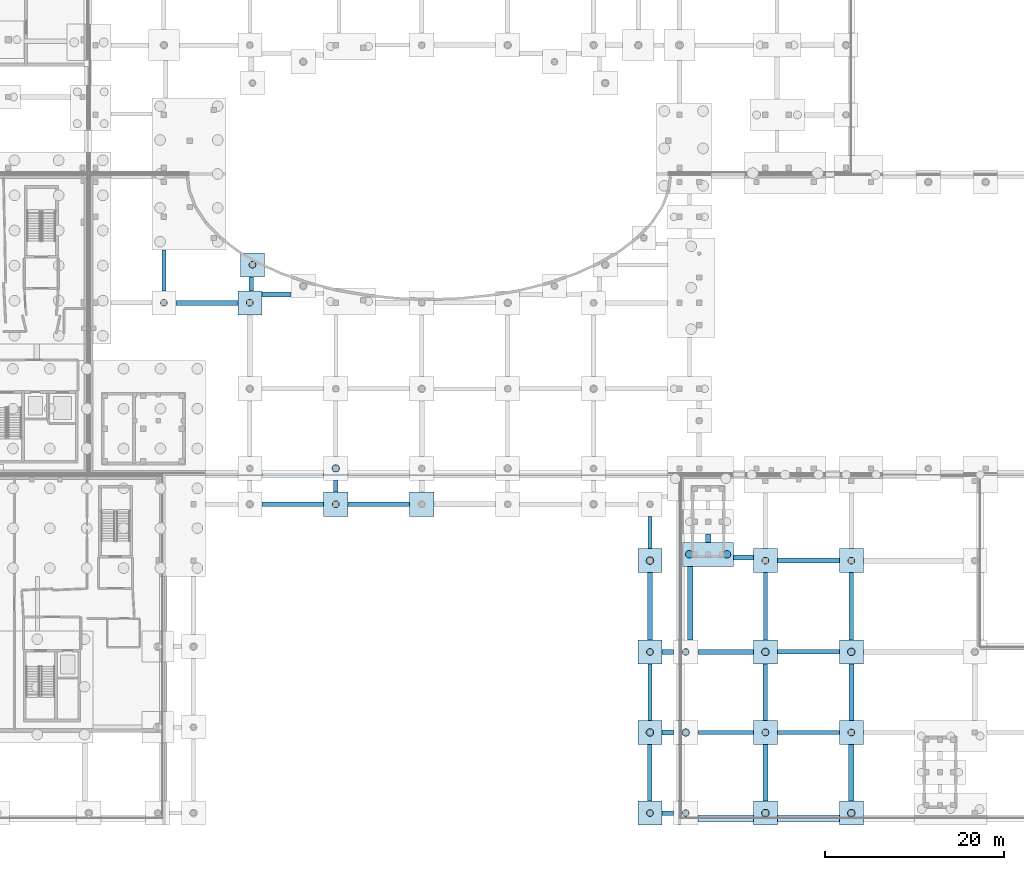
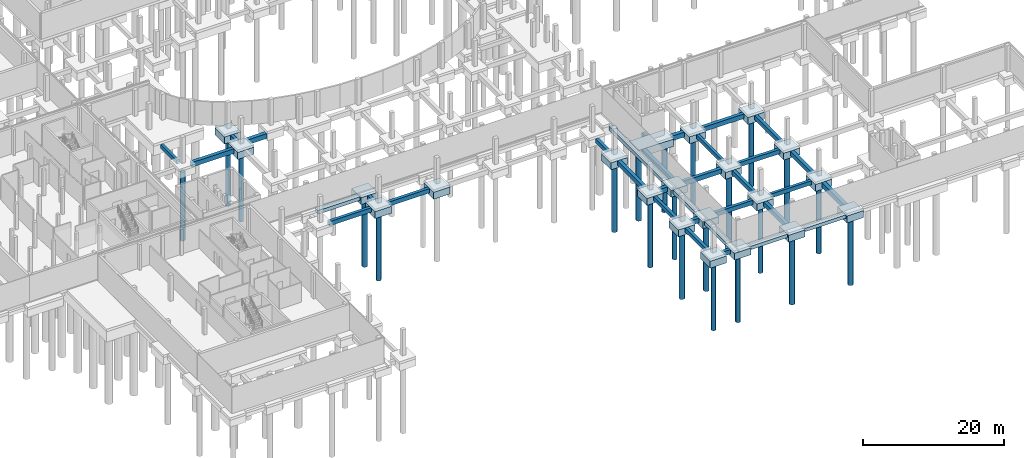
# One storey, part 3 of 40: 55 footings, 22 piles.
"""IFC4 building model written with IfcOpenShell, lengths in metres."""

from ifc_helpers import new_model, si_unit, direction, frame, origin, origin_2d, place, context, subcontext, project, spatial, polyline, circle, outline, extrude, material, material_profile, profile_set, type_object, element, save


model = new_model("IFC4")

# Units and contexts
model_context = context("Model", 3, precision=1e-05, world=origin(), true_north=direction((0.0, 1.0)))
body_context = subcontext(model_context, "Body", "Model", "MODEL_VIEW")
ifc_project = project(units=[si_unit("LENGTHUNIT", "METRE"), si_unit("AREAUNIT", "SQUARE_METRE"), si_unit("VOLUMEUNIT", "CUBIC_METRE"), si_unit("PLANEANGLEUNIT", "RADIAN"), si_unit("MASSUNIT", "GRAM", prefix="KILO")], contexts=[model_context])

# Site, building, storey
site_placement = place(None, origin())
site = spatial("IfcSite", under=ifc_project, at=site_placement, CompositionType="ELEMENT")
building_placement = place(site_placement, origin())
building = spatial("IfcBuilding", under=site, at=building_placement, Name="Mzevani Central Library", CompositionType="ELEMENT")
storey_placement = place(building_placement, frame((0.0, 0.0, -4.5)))
storey = spatial("IfcBuildingStorey", under=building, at=storey_placement, Name="B1", CompositionType="ELEMENT", Elevation=-4.5)

# Piles
ifc_material = material(Name="Concrete C40/50", Category="concrete")
ifc_material_profile_1 = material_profile(ifc_material, circle(Radius=0.375, at=origin_2d()), Name="PILE D750")
ifc_profile_set_1 = profile_set([ifc_material_profile_1], Name="Concrete C40/50")
pile_type_1 = type_object("IfcPileType", Name="Bored Pile D750", PredefinedType="BORED", material=ifc_profile_set_1)
for number, where, z_axis, x_axis, name in (
    (1, (54.39990234375, 61.60009765625, -1.52001953125), (0.0, 0.0, -1.0), (1.0, 0.0, 0.0), "B1 Bored Pile P-01 (25)"),
    (2, (64.0, 61.60009765625, -1.52001953125), (0.0, 0.0, -1.0), (1.0, 0.0, 0.0), "B1 Bored Pile P-01 (38)"),
    (3, (64.2939453125, 65.843994140625, -1.52001953125), (0.0, 0.0, -1.0), (1.0, 0.0, 0.0), "B1 Bored Pile P-01 (90)"),
    (4, (112.699951171875, 4.60009765625, -1.52001953125), (0.0, 0.0, -1.0), (1.0, 0.0, 0.0), "B1 Bored Pile P-01 (314)"),
    (5, (112.699951171875, 22.60009765625, -1.52001953125), (0.0, 0.0, -1.0), (1.0, 0.0, 0.0), "B1 Bored Pile P-01 (316)"),
    (6, (121.60009765625, 13.60009765625, -1.52001953125), (0.0, 0.0, -1.0), (1.0, 0.0, 0.0), "B1 Bored Pile P-01 (318)"),
    (7, (121.60009765625, 32.800048828125, -1.52001953125), (0.0, 0.0, -1.0), (1.0, 0.0, 0.0), "B1 Bored Pile P-01 (320)"),
    (8, (131.199951171875, 13.60009765625, -1.52001953125), (0.0, 0.0, -1.0), (1.0, 0.0, 0.0), "B1 Bored Pile P-01 (322)"),
    (9, (131.199951171875, 32.800048828125, -1.52001953125), (0.0, 0.0, -1.0), (1.0, 0.0, 0.0), "B1 Bored Pile P-01 (324)"),
    (10, (108.699951171875, 4.60009765625, -1.52001953125), (0.0, 0.0, -1.0), (1.0, 0.0, 0.0), "B1 Bored Pile P-01 (342)"),
    (11, (108.699951171875, 22.60009765625, -1.52001953125), (0.0, 0.0, -1.0), (1.0, 0.0, 0.0), "B1 Bored Pile P-01 (344)"),
    (12, (73.60009765625, 39.10009765625, -1.52001953125), (0.0, 0.0, -1.0), (1.0, 0.0, 0.0), "B1 Bored Pile P-01 (348)"),
):
    element("IfcPile", number, at=place(storey_placement, frame(where, z_axis=z_axis, x_axis=x_axis)), inside=storey, type_object=pile_type_1, Name=name, PredefinedType="BORED", context=body_context, shape_type="SweptSolid", body=[
        extrude(circle(Radius=0.375, at=origin_2d()), origin(), (0.0, 0.0, 1.0), 11.97998046875),
    ])
ifc_material_profile_2 = material_profile(ifc_material, circle(Radius=0.425048828125, at=origin_2d()), Name="PILE D850")
ifc_profile_set_2 = profile_set([ifc_material_profile_2], Name="Concrete C40/50")
pile_type_2 = type_object("IfcPileType", Name="Bored Pile D850", PredefinedType="BORED", material=ifc_profile_set_2)
for number, where, z_axis, x_axis, name in (
    (13, (73.60009765625, 43.10009765625, -1.52001953125), (0.0, 0.0, -1.0), (1.0, 0.0, 0.0), "B1 Bored Pile P-02 (39)"),
    (14, (112.699951171875, 13.60009765625, -1.52001953125), (0.0, 0.0, -1.0), (1.0, 0.0, 0.0), "B1 Bored Pile P-02 (315)"),
    (15, (121.60009765625, 4.60009765625, -1.52001953125), (0.0, 0.0, -1.0), (1.0, 0.0, 0.0), "B1 Bored Pile P-02 (317)"),
    (16, (121.60009765625, 22.60009765625, -1.52001953125), (0.0, 0.0, -1.0), (1.0, 0.0, 0.0), "B1 Bored Pile P-02 (319)"),
    (17, (131.199951171875, 4.60009765625, -1.52001953125), (0.0, 0.0, -1.0), (1.0, 0.0, 0.0), "B1 Bored Pile P-02 (321)"),
    (18, (131.199951171875, 22.60009765625, -1.52001953125), (0.0, 0.0, -1.0), (1.0, 0.0, 0.0), "B1 Bored Pile P-02 (323)"),
    (19, (108.699951171875, 13.60009765625, -1.52001953125), (0.0, 0.0, -1.0), (1.0, 0.0, 0.0), "B1 Bored Pile P-02 (343)"),
    (20, (108.699951171875, 32.800048828125, -1.52001953125), (0.0, 0.0, -1.0), (1.0, 0.0, 0.0), "B1 Bored Pile P-02 (345)"),
):
    element("IfcPile", number, at=place(storey_placement, frame(where, z_axis=z_axis, x_axis=x_axis)), inside=storey, type_object=pile_type_2, Name=name, PredefinedType="BORED", context=body_context, shape_type="SweptSolid", body=[
        extrude(circle(Radius=0.425048828125, at=origin_2d()), origin(), (0.0, 0.0, 1.0), 11.97998046875),
    ])
for number, where, z_axis, x_axis, name in (
    (21, (113.094970703125, 33.5, -1.6201171875), (0.0, 0.0, -1.0), (1.0, 0.0, 0.0), "B1 Bored Pile P-02 (367)"),
    (22, (117.304931640625, 33.5, -1.6201171875), (0.0, 0.0, -1.0), (1.0, 0.0, 0.0), "B1 Bored Pile P-02 (368)"),
):
    element("IfcPile", number, at=place(storey_placement, frame(where, z_axis=z_axis, x_axis=x_axis)), inside=storey, type_object=pile_type_2, Name=name, PredefinedType="BORED", context=body_context, shape_type="SweptSolid", body=[
        extrude(circle(Radius=0.425048828125, at=origin_2d()), origin(), (0.0, 0.0, 1.0), 11.8798828125),
    ])

# Footings
footing_type_1 = type_object("IfcFootingType", Name="Ground Tie Beam RC 450x700", PredefinedType="FOOTING_BEAM", material=ifc_material)
footing_1_placement = place(storey_placement, frame((0.0, 0.0, -1.1201171875)))
element("IfcFooting", 23, at=footing_1_placement, inside=storey, type_object=footing_type_1, Name="MAT Ground Tie Beam GB-01 (101)", PredefinedType="FOOTING_BEAM", context=body_context, shape_type="SweptSolid", body=[
    extrude(outline(polyline([(122.949951171875, 13.375), (129.85009765625, 13.375), (129.85009765625, 13.824951171875), (122.949951171875, 13.824951171875), (122.949951171875, 13.375)])), origin(), (0.0, 0.0, 1.0), 0.7001953125),
])
footing_2_placement = place(storey_placement, frame((0.0, 0.0, -1.1201171875)))
element("IfcFooting", 24, at=footing_2_placement, inside=storey, type_object=footing_type_1, Name="MAT Ground Tie Beam GB-01 (125)", PredefinedType="FOOTING_BEAM", context=body_context, shape_type="SweptSolid", body=[
    extrude(outline(polyline([(108.47509765625, 14.949951171875), (108.925048828125, 14.949951171875), (108.925048828125, 21.25), (108.47509765625, 21.25), (108.47509765625, 14.949951171875)])), origin(), (0.0, 0.0, 1.0), 0.7001953125),
])
footing_3_placement = place(storey_placement, frame((0.0, 0.0, -1.1201171875)))
element("IfcFooting", 25, at=footing_3_placement, inside=storey, type_object=footing_type_1, Name="MAT Ground Tie Beam GB-01 (133)", PredefinedType="FOOTING_BEAM", context=body_context, shape_type="SweptSolid", body=[
    extrude(outline(polyline([(121.375, 23.949951171875), (121.824951171875, 23.949951171875), (121.824951171875, 31.449951171875), (121.375, 31.449951171875), (121.375, 23.949951171875)])), origin(), (0.0, 0.0, 1.0), 0.7001953125),
])
footing_4_placement = place(storey_placement, frame((0.0, 0.0, -1.1201171875)))
element("IfcFooting", 26, at=footing_4_placement, inside=storey, type_object=footing_type_1, Name="MAT Ground Tie Beam GB-01 (137)", PredefinedType="FOOTING_BEAM", context=body_context, shape_type="SweptSolid", body=[
    extrude(outline(polyline([(108.47509765625, 34.14990234375), (108.925048828125, 34.14990234375), (108.925048828125, 37.75), (108.47509765625, 37.75), (108.47509765625, 34.14990234375)])), origin(), (0.0, 0.0, 1.0), 0.7001953125),
])
footing_5_placement = place(storey_placement, frame((0.0, 0.0, -1.1201171875)))
element("IfcFooting", 27, at=footing_5_placement, inside=storey, type_object=footing_type_1, Name="MAT Ground Tie Beam GB-01 (173)", PredefinedType="FOOTING_BEAM", context=body_context, shape_type="SweptSolid", body=[
    extrude(outline(polyline([(54.175048828125, 62.949951171875), (54.625, 62.949951171875), (54.625, 67.5009765625), (54.175048828125, 67.5009765625), (54.175048828125, 62.949951171875)])), origin(), (0.0, 0.0, 1.0), 0.7001953125),
])
footing_type_2 = type_object("IfcFootingType", Name="Ground Tie Beam RC 500x750", PredefinedType="FOOTING_BEAM", material=ifc_material)
footing_6_placement = place(storey_placement, frame((0.0, 0.0, -1.169921875)))
element("IfcFooting", 28, at=footing_6_placement, inside=storey, type_object=footing_type_2, Name="MAT Ground Tie Beam GB-02 (50)", PredefinedType="FOOTING_BEAM", context=body_context, shape_type="SweptSolid", body=[
    extrude(outline(polyline([(65.35009765625, 38.85009765625), (72.25, 38.85009765625), (72.25, 39.35009765625), (65.35009765625, 39.35009765625), (65.35009765625, 38.85009765625)])), origin(), (0.0, 0.0, 1.0), 0.75),
])
footing_7_placement = place(storey_placement, frame((0.0, 0.0, -1.169921875)))
element("IfcFooting", 29, at=footing_7_placement, inside=storey, type_object=footing_type_2, Name="MAT Ground Tie Beam GB-02 (58)", PredefinedType="FOOTING_BEAM", context=body_context, shape_type="SweptSolid", body=[
    extrude(outline(polyline([(74.949951171875, 38.85009765625), (81.85009765625, 38.85009765625), (81.85009765625, 39.35009765625), (74.949951171875, 39.35009765625), (74.949951171875, 38.85009765625)])), origin(), (0.0, 0.0, 1.0), 0.75),
])
footing_8_placement = place(storey_placement, frame((0.0, 0.0, -1.169921875)))
element("IfcFooting", 30, at=footing_8_placement, inside=storey, type_object=footing_type_2, Name="MAT Ground Tie Beam GB-02 (86)", PredefinedType="FOOTING_BEAM", context=body_context, shape_type="SweptSolid", body=[
    extrude(outline(polyline([(110.050048828125, 4.35009765625), (111.35009765625, 4.35009765625), (111.35009765625, 4.85009765625), (110.050048828125, 4.85009765625), (110.050048828125, 4.35009765625)])), origin(), (0.0, 0.0, 1.0), 0.75),
])
footing_9_placement = place(storey_placement, frame((0.0, 0.0, -1.169921875)))
element("IfcFooting", 31, at=footing_9_placement, inside=storey, type_object=footing_type_2, Name="MAT Ground Tie Beam GB-02 (94)", PredefinedType="FOOTING_BEAM", context=body_context, shape_type="SweptSolid", body=[
    extrude(outline(polyline([(114.050048828125, 13.35009765625), (120.25, 13.35009765625), (120.25, 13.85009765625), (114.050048828125, 13.85009765625), (114.050048828125, 13.35009765625)])), origin(), (0.0, 0.0, 1.0), 0.75),
])
footing_10_placement = place(storey_placement, frame((0.0, 0.0, -1.169921875)))
element("IfcFooting", 32, at=footing_10_placement, inside=storey, type_object=footing_type_2, Name="MAT Ground Tie Beam GB-02 (102)", PredefinedType="FOOTING_BEAM", context=body_context, shape_type="SweptSolid", body=[
    extrude(outline(polyline([(122.949951171875, 22.35009765625), (129.85009765625, 22.35009765625), (129.85009765625, 22.85009765625), (122.949951171875, 22.85009765625), (122.949951171875, 22.35009765625)])), origin(), (0.0, 0.0, 1.0), 0.75),
])
footing_11_placement = place(storey_placement, frame((0.0, 0.0, -1.169921875)))
element("IfcFooting", 33, at=footing_11_placement, inside=storey, type_object=footing_type_2, Name="MAT Ground Tie Beam GB-02 (118)", PredefinedType="FOOTING_BEAM", context=body_context, shape_type="SweptSolid", body=[
    extrude(outline(polyline([(108.449951171875, 5.949951171875), (108.949951171875, 5.949951171875), (108.949951171875, 12.25), (108.449951171875, 12.25), (108.449951171875, 5.949951171875)])), origin(), (0.0, 0.0, 1.0), 0.75),
])
footing_12_placement = place(storey_placement, frame((0.0, 0.0, -1.169921875)))
element("IfcFooting", 34, at=footing_12_placement, inside=storey, type_object=footing_type_2, Name="MAT Ground Tie Beam GB-02 (126)", PredefinedType="FOOTING_BEAM", context=body_context, shape_type="SweptSolid", body=[
    extrude(outline(polyline([(121.35009765625, 14.949951171875), (121.85009765625, 14.949951171875), (121.85009765625, 21.25), (121.35009765625, 21.25), (121.35009765625, 14.949951171875)])), origin(), (0.0, 0.0, 1.0), 0.75),
])
footing_13_placement = place(storey_placement, frame((0.0, 0.0, -1.169921875)))
element("IfcFooting", 35, at=footing_13_placement, inside=storey, type_object=footing_type_2, Name="MAT Ground Tie Beam GB-02 (134)", PredefinedType="FOOTING_BEAM", context=body_context, shape_type="SweptSolid", body=[
    extrude(outline(polyline([(130.949951171875, 23.949951171875), (131.449951171875, 23.949951171875), (131.449951171875, 31.449951171875), (130.949951171875, 31.449951171875), (130.949951171875, 23.949951171875)])), origin(), (0.0, 0.0, 1.0), 0.75),
])
footing_14_placement = place(storey_placement, frame((0.0, 0.0, -1.169921875)))
element("IfcFooting", 36, at=footing_14_placement, inside=storey, type_object=footing_type_2, Name="MAT Ground Tie Beam GB-02 (174)", PredefinedType="FOOTING_BEAM", context=body_context, shape_type="SweptSolid", body=[
    extrude(outline(polyline([(63.89697265625, 62.949951171875), (64.39697265625, 62.949951171875), (64.39697265625, 64.493896484375), (63.89697265625, 64.493896484375), (63.89697265625, 62.949951171875)])), origin(), (0.0, 0.0, 1.0), 0.75),
])
footing_type_3 = type_object("IfcFootingType", Name="Ground Tie Beam RC 550x800", PredefinedType="FOOTING_BEAM", material=ifc_material)
footing_15_placement = place(storey_placement, frame((0.0, 0.0, -1.219970703125)))
element("IfcFooting", 37, at=footing_15_placement, inside=storey, type_object=footing_type_3, Name="MAT Ground Tie Beam GB-03 (47)", PredefinedType="FOOTING_BEAM", context=body_context, shape_type="SweptSolid", body=[
    extrude(outline(polyline([(55.75, 61.324951171875), (62.64990234375, 61.324951171875), (62.64990234375, 61.875), (55.75, 61.875), (55.75, 61.324951171875)])), origin(), (0.0, 0.0, 1.0), 0.800048828125),
])
footing_16_placement = place(storey_placement, frame((0.0, 0.0, -1.219970703125)))
element("IfcFooting", 38, at=footing_16_placement, inside=storey, type_object=footing_type_3, Name="MAT Ground Tie Beam GB-03 (87)", PredefinedType="FOOTING_BEAM", context=body_context, shape_type="SweptSolid", body=[
    extrude(outline(polyline([(110.050048828125, 13.324951171875), (111.35009765625, 13.324951171875), (111.35009765625, 13.875), (110.050048828125, 13.875), (110.050048828125, 13.324951171875)])), origin(), (0.0, 0.0, 1.0), 0.800048828125),
])
footing_17_placement = place(storey_placement, frame((0.0, 0.0, -1.219970703125)))
element("IfcFooting", 39, at=footing_17_placement, inside=storey, type_object=footing_type_3, Name="MAT Ground Tie Beam GB-03 (95)", PredefinedType="FOOTING_BEAM", context=body_context, shape_type="SweptSolid", body=[
    extrude(outline(polyline([(114.050048828125, 22.324951171875), (120.25, 22.324951171875), (120.25, 22.875), (114.050048828125, 22.875), (114.050048828125, 22.324951171875)])), origin(), (0.0, 0.0, 1.0), 0.800048828125),
])
footing_18_placement = place(storey_placement, frame((0.0, 0.0, -1.219970703125)))
element("IfcFooting", 40, at=footing_18_placement, inside=storey, type_object=footing_type_3, Name="MAT Ground Tie Beam GB-03 (103)", PredefinedType="FOOTING_BEAM", context=body_context, shape_type="SweptSolid", body=[
    extrude(outline(polyline([(122.949951171875, 32.52490234375), (129.85009765625, 32.52490234375), (129.85009765625, 33.074951171875), (122.949951171875, 33.074951171875), (122.949951171875, 32.52490234375)])), origin(), (0.0, 0.0, 1.0), 0.800048828125),
])
footing_19_placement = place(storey_placement, frame((0.0, 0.0, -1.219970703125)))
element("IfcFooting", 41, at=footing_19_placement, inside=storey, type_object=footing_type_3, Name="MAT Ground Tie Beam GB-03 (119)", PredefinedType="FOOTING_BEAM", context=body_context, shape_type="SweptSolid", body=[
    extrude(outline(polyline([(121.324951171875, 5.949951171875), (121.875, 5.949951171875), (121.875, 12.25), (121.324951171875, 12.25), (121.324951171875, 5.949951171875)])), origin(), (0.0, 0.0, 1.0), 0.800048828125),
])
footing_20_placement = place(storey_placement, frame((0.0, 0.0, -1.219970703125)))
element("IfcFooting", 42, at=footing_20_placement, inside=storey, type_object=footing_type_3, Name="MAT Ground Tie Beam GB-03 (127)", PredefinedType="FOOTING_BEAM", context=body_context, shape_type="SweptSolid", body=[
    extrude(outline(polyline([(130.925048828125, 14.949951171875), (131.47509765625, 14.949951171875), (131.47509765625, 21.25), (130.925048828125, 21.25), (130.925048828125, 14.949951171875)])), origin(), (0.0, 0.0, 1.0), 0.800048828125),
])
footing_21_placement = place(storey_placement, frame((0.0, 0.0, -1.219970703125)))
element("IfcFooting", 43, at=footing_21_placement, inside=storey, type_object=footing_type_3, Name="MAT Ground Tie Beam GB-03 (131)", PredefinedType="FOOTING_BEAM", context=body_context, shape_type="SweptSolid", body=[
    extrude(outline(polyline([(108.425048828125, 23.949951171875), (108.97509765625, 23.949951171875), (108.97509765625, 31.449951171875), (108.425048828125, 31.449951171875), (108.425048828125, 23.949951171875)])), origin(), (0.0, 0.0, 1.0), 0.800048828125),
])
footing_22_placement = place(storey_placement, frame((0.0, 0.0, -1.219970703125)))
element("IfcFooting", 44, at=footing_22_placement, inside=storey, type_object=footing_type_3, Name="MAT Ground Tie Beam GB-03 (143)", PredefinedType="FOOTING_BEAM", context=body_context, shape_type="SweptSolid", body=[
    extrude(outline(polyline([(73.324951171875, 40.449951171875), (73.875, 40.449951171875), (73.875, 41.75), (73.324951171875, 41.75), (73.324951171875, 40.449951171875)])), origin(), (0.0, 0.0, 1.0), 0.800048828125),
])
footing_type_4 = type_object("IfcFootingType", Name="Ground Tie Beam RC 600x850", PredefinedType="FOOTING_BEAM", material=ifc_material)
footing_23_placement = place(storey_placement, frame((0.0, 0.0, -1.27001953125)))
element("IfcFooting", 45, at=footing_23_placement, inside=storey, type_object=footing_type_4, Name="MAT Ground Tie Beam GB-04 (52)", PredefinedType="FOOTING_BEAM", context=body_context, shape_type="SweptSolid", body=[
    extrude(outline(polyline([(65.35009765625, 62.236083984375), (68.615966796875, 62.236083984375), (68.615966796875, 62.8359375), (65.35009765625, 62.8359375), (65.35009765625, 62.236083984375)])), origin(), (0.0, 0.0, 1.0), 0.85009765625),
])
footing_24_placement = place(storey_placement, frame((0.0, 0.0, -1.27001953125)))
element("IfcFooting", 46, at=footing_24_placement, inside=storey, type_object=footing_type_4, Name="MAT Ground Tie Beam GB-04 (88)", PredefinedType="FOOTING_BEAM", context=body_context, shape_type="SweptSolid", body=[
    extrude(outline(polyline([(110.050048828125, 22.300048828125), (111.35009765625, 22.300048828125), (111.35009765625, 22.89990234375), (110.050048828125, 22.89990234375), (110.050048828125, 22.300048828125)])), origin(), (0.0, 0.0, 1.0), 0.85009765625),
])
footing_25_placement = place(storey_placement, frame((0.0, 0.0, -1.27001953125)))
element("IfcFooting", 47, at=footing_25_placement, inside=storey, type_object=footing_type_4, Name="MAT Ground Tie Beam GB-04 (96)", PredefinedType="FOOTING_BEAM", context=body_context, shape_type="SweptSolid", body=[
    extrude(outline(polyline([(118.050048828125, 32.85009765625), (120.25, 32.85009765625), (120.25, 33.449951171875), (118.050048828125, 33.449951171875), (118.050048828125, 32.85009765625)])), origin(), (0.0, 0.0, 1.0), 0.85009765625),
])
footing_26_placement = place(storey_placement, frame((0.0, 0.0, -1.27001953125)))
element("IfcFooting", 48, at=footing_26_placement, inside=storey, type_object=footing_type_4, Name="MAT Ground Tie Beam GB-04 (120)", PredefinedType="FOOTING_BEAM", context=body_context, shape_type="SweptSolid", body=[
    extrude(outline(polyline([(130.89990234375, 5.949951171875), (131.5, 5.949951171875), (131.5, 12.25), (130.89990234375, 12.25), (130.89990234375, 5.949951171875)])), origin(), (0.0, 0.0, 1.0), 0.85009765625),
])
footing_27_placement = place(storey_placement, frame((0.0, 0.0, -1.27001953125)))
element("IfcFooting", 49, at=footing_27_placement, inside=storey, type_object=footing_type_4, Name="MAT Ground Tie Beam GB-04 (132)", PredefinedType="FOOTING_BEAM", context=body_context, shape_type="SweptSolid", body=[
    extrude(outline(polyline([(112.89990234375, 23.949951171875), (113.5, 23.949951171875), (113.5, 32.14990234375), (112.89990234375, 32.14990234375), (112.89990234375, 23.949951171875)])), origin(), (0.0, 0.0, 1.0), 0.85009765625),
])
footing_28_placement = place(storey_placement, frame((0.0, 0.0, -1.27001953125)))
element("IfcFooting", 50, at=footing_28_placement, inside=storey, type_object=footing_type_4, Name="MAT Ground Tie Beam GB-04 (140)", PredefinedType="FOOTING_BEAM", context=body_context, shape_type="SweptSolid", body=[
    extrude(outline(polyline([(114.89990234375, 34.85009765625), (115.5, 34.85009765625), (115.5, 35.800048828125), (114.89990234375, 35.800048828125), (114.89990234375, 34.85009765625)])), origin(), (0.0, 0.0, 1.0), 0.85009765625),
])
footing_type_5 = type_object("IfcFootingType", Name="Perimeter Strip Footing RC 800x600", PredefinedType="STRIP_FOOTING", material=ifc_material)
footing_29_placement = place(storey_placement, frame((0.0, 0.0, -1.02001953125)))
element("IfcFooting", 51, at=footing_29_placement, inside=storey, type_object=footing_type_5, Name="B1 Perimeter Strip Footing SF-01 (61)", PredefinedType="STRIP_FOOTING", context=body_context, shape_type="SweptSolid", body=[
    extrude(outline(polyline([(120.25, 3.60009765625), (114.050048828125, 3.60009765625), (114.050048828125, 4.39990234375), (120.25, 4.39990234375), (120.25, 3.60009765625)])), origin(), (0.0, 0.0, 1.0), 0.60009765625),
])
footing_30_placement = place(storey_placement, frame((0.0, 0.0, -1.02001953125)))
element("IfcFooting", 52, at=footing_30_placement, inside=storey, type_object=footing_type_5, Name="B1 Perimeter Strip Footing SF-01 (62)", PredefinedType="STRIP_FOOTING", context=body_context, shape_type="SweptSolid", body=[
    extrude(outline(polyline([(129.85009765625, 3.60009765625), (122.949951171875, 3.60009765625), (122.949951171875, 4.39990234375), (129.85009765625, 4.39990234375), (129.85009765625, 3.60009765625)])), origin(), (0.0, 0.0, 1.0), 0.60009765625),
])
footing_type_6 = type_object("IfcFootingType", Name="Perimeter Strip Footing RC 900x650", PredefinedType="STRIP_FOOTING", material=ifc_material)
footing_31_placement = place(storey_placement, frame((0.0, 0.0, -1.070068359375)))
element("IfcFooting", 53, at=footing_31_placement, inside=storey, type_object=footing_type_6, Name="B1 Perimeter Strip Footing SF-02 (5)", PredefinedType="STRIP_FOOTING", context=body_context, shape_type="SweptSolid", body=[
    extrude(outline(polyline([(72.25, 42.050048828125), (65.35009765625, 42.050048828125), (65.35009765625, 42.949951171875), (72.25, 42.949951171875), (72.25, 42.050048828125)])), origin(), (0.0, 0.0, 1.0), 0.650146484375),
])
footing_32_placement = place(storey_placement, frame((0.0, 0.0, -1.070068359375)))
element("IfcFooting", 54, at=footing_32_placement, inside=storey, type_object=footing_type_6, Name="B1 Perimeter Strip Footing SF-02 (66)", PredefinedType="STRIP_FOOTING", context=body_context, shape_type="SweptSolid", body=[
    extrude(outline(polyline([(111.64990234375, 14.949951171875), (111.64990234375, 21.25), (112.550048828125, 21.25), (112.550048828125, 14.949951171875), (111.64990234375, 14.949951171875)])), origin(), (0.0, 0.0, 1.0), 0.650146484375),
])
footing_33_placement = place(storey_placement, frame((0.0, 0.0, -1.070068359375)))
element("IfcFooting", 55, at=footing_33_placement, inside=storey, type_object=footing_type_6, Name="B1 Perimeter Strip Footing SF-02 (67)", PredefinedType="STRIP_FOOTING", context=body_context, shape_type="SweptSolid", body=[
    extrude(outline(polyline([(111.64990234375, 5.949951171875), (111.64990234375, 12.25), (112.550048828125, 12.25), (112.550048828125, 5.949951171875), (111.64990234375, 5.949951171875)])), origin(), (0.0, 0.0, 1.0), 0.650146484375),
])
footing_34_placement = place(storey_placement, frame((0.0, 0.0, -1.070068359375)))
element("IfcFooting", 56, at=footing_34_placement, inside=storey, type_object=footing_type_6, Name="B1 Perimeter Strip Footing SF-02 (68)", PredefinedType="STRIP_FOOTING", context=body_context, shape_type="SweptSolid", body=[
    extrude(outline(polyline([(112.35009765625, 38.5), (112.35009765625, 35.800048828125), (112.550048828125, 35.800048828125), (112.550048828125, 34.85009765625), (112.35009765625, 34.85009765625), (112.35009765625, 32.14990234375), (112.550048828125, 32.14990234375), (112.550048828125, 23.949951171875), (111.64990234375, 23.949951171875), (111.64990234375, 39.449951171875), (112.550048828125, 39.449951171875), (112.550048828125, 38.5), (112.35009765625, 38.5)])), origin(), (0.0, 0.0, 1.0), 0.650146484375),
])
footing_type_7 = type_object("IfcFootingType", Name="Pile Cap RC 2700x2700x1200", PredefinedType="PILE_CAP", material=ifc_material)
footing_35_placement = place(storey_placement, frame((0.0, 0.0, -1.6201171875)))
element("IfcFooting", 57, at=footing_35_placement, inside=storey, type_object=footing_type_7, Name="B1 Pile Cap PC-02 (6)", PredefinedType="PILE_CAP", context=body_context, shape_type="SweptSolid", body=[
    extrude(outline(polyline([(62.64990234375, 60.25), (65.35009765625, 60.25), (65.35009765625, 62.949951171875), (62.64990234375, 62.949951171875), (62.64990234375, 60.25)])), origin(), (0.0, 0.0, 1.0), 1.2001953125),
])
footing_36_placement = place(storey_placement, frame((0.0, 0.0, -1.6201171875)))
element("IfcFooting", 58, at=footing_36_placement, inside=storey, type_object=footing_type_7, Name="B1 Pile Cap PC-02 (7)", PredefinedType="PILE_CAP", context=body_context, shape_type="SweptSolid", body=[
    extrude(outline(polyline([(72.25, 41.75), (74.949951171875, 41.75), (74.949951171875, 44.449951171875), (72.25, 44.449951171875), (72.25, 41.75)])), origin(), (0.0, 0.0, 1.0), 1.2001953125),
])
footing_37_placement = place(storey_placement, frame((0.0, 0.0, -1.6201171875)))
element("IfcFooting", 59, at=footing_37_placement, inside=storey, type_object=footing_type_7, Name="B1 Pile Cap PC-02 (42)", PredefinedType="PILE_CAP", context=body_context, shape_type="SweptSolid", body=[
    extrude(outline(polyline([(62.944091796875, 64.493896484375), (65.64404296875, 64.493896484375), (65.64404296875, 67.194091796875), (62.944091796875, 67.194091796875), (62.944091796875, 64.493896484375)])), origin(), (0.0, 0.0, 1.0), 1.2001953125),
])
footing_38_placement = place(storey_placement, frame((0.0, 0.0, -1.6201171875)))
element("IfcFooting", 60, at=footing_38_placement, inside=storey, type_object=footing_type_7, Name="B1 Pile Cap PC-02 (130)", PredefinedType="PILE_CAP", context=body_context, shape_type="SweptSolid", body=[
    extrude(outline(polyline([(111.35009765625, 3.25), (114.050048828125, 3.25), (114.050048828125, 5.949951171875), (111.35009765625, 5.949951171875), (111.35009765625, 3.25)])), origin(), (0.0, 0.0, 1.0), 1.2001953125),
])
footing_39_placement = place(storey_placement, frame((0.0, 0.0, -1.6201171875)))
element("IfcFooting", 61, at=footing_39_placement, inside=storey, type_object=footing_type_7, Name="B1 Pile Cap PC-02 (131)", PredefinedType="PILE_CAP", context=body_context, shape_type="SweptSolid", body=[
    extrude(outline(polyline([(111.35009765625, 12.25), (114.050048828125, 12.25), (114.050048828125, 14.949951171875), (111.35009765625, 14.949951171875), (111.35009765625, 12.25)])), origin(), (0.0, 0.0, 1.0), 1.2001953125),
])
footing_40_placement = place(storey_placement, frame((0.0, 0.0, -1.6201171875)))
element("IfcFooting", 62, at=footing_40_placement, inside=storey, type_object=footing_type_7, Name="B1 Pile Cap PC-02 (132)", PredefinedType="PILE_CAP", context=body_context, shape_type="SweptSolid", body=[
    extrude(outline(polyline([(111.35009765625, 21.25), (114.050048828125, 21.25), (114.050048828125, 23.949951171875), (111.35009765625, 23.949951171875), (111.35009765625, 21.25)])), origin(), (0.0, 0.0, 1.0), 1.2001953125),
])
footing_41_placement = place(storey_placement, frame((0.0, 0.0, -1.6201171875)))
element("IfcFooting", 63, at=footing_41_placement, inside=storey, type_object=footing_type_7, Name="B1 Pile Cap PC-02 (133)", PredefinedType="PILE_CAP", context=body_context, shape_type="SweptSolid", body=[
    extrude(outline(polyline([(120.25, 3.25), (122.949951171875, 3.25), (122.949951171875, 5.949951171875), (120.25, 5.949951171875), (120.25, 3.25)])), origin(), (0.0, 0.0, 1.0), 1.2001953125),
])
footing_42_placement = place(storey_placement, frame((0.0, 0.0, -1.6201171875)))
element("IfcFooting", 64, at=footing_42_placement, inside=storey, type_object=footing_type_7, Name="B1 Pile Cap PC-02 (134)", PredefinedType="PILE_CAP", context=body_context, shape_type="SweptSolid", body=[
    extrude(outline(polyline([(120.25, 12.25), (122.949951171875, 12.25), (122.949951171875, 14.949951171875), (120.25, 14.949951171875), (120.25, 12.25)])), origin(), (0.0, 0.0, 1.0), 1.2001953125),
])
footing_43_placement = place(storey_placement, frame((0.0, 0.0, -1.6201171875)))
element("IfcFooting", 65, at=footing_43_placement, inside=storey, type_object=footing_type_7, Name="B1 Pile Cap PC-02 (135)", PredefinedType="PILE_CAP", context=body_context, shape_type="SweptSolid", body=[
    extrude(outline(polyline([(120.25, 21.25), (122.949951171875, 21.25), (122.949951171875, 23.949951171875), (120.25, 23.949951171875), (120.25, 21.25)])), origin(), (0.0, 0.0, 1.0), 1.2001953125),
])
footing_44_placement = place(storey_placement, frame((0.0, 0.0, -1.6201171875)))
element("IfcFooting", 66, at=footing_44_placement, inside=storey, type_object=footing_type_7, Name="B1 Pile Cap PC-02 (136)", PredefinedType="PILE_CAP", context=body_context, shape_type="SweptSolid", body=[
    extrude(outline(polyline([(120.25, 31.449951171875), (122.949951171875, 31.449951171875), (122.949951171875, 34.14990234375), (120.25, 34.14990234375), (120.25, 31.449951171875)])), origin(), (0.0, 0.0, 1.0), 1.2001953125),
])
footing_45_placement = place(storey_placement, frame((0.0, 0.0, -1.6201171875)))
element("IfcFooting", 67, at=footing_45_placement, inside=storey, type_object=footing_type_7, Name="B1 Pile Cap PC-02 (137)", PredefinedType="PILE_CAP", context=body_context, shape_type="SweptSolid", body=[
    extrude(outline(polyline([(129.85009765625, 3.25), (132.550048828125, 3.25), (132.550048828125, 5.949951171875), (129.85009765625, 5.949951171875), (129.85009765625, 3.25)])), origin(), (0.0, 0.0, 1.0), 1.2001953125),
])
footing_46_placement = place(storey_placement, frame((0.0, 0.0, -1.6201171875)))
element("IfcFooting", 68, at=footing_46_placement, inside=storey, type_object=footing_type_7, Name="B1 Pile Cap PC-02 (138)", PredefinedType="PILE_CAP", context=body_context, shape_type="SweptSolid", body=[
    extrude(outline(polyline([(129.85009765625, 12.25), (132.550048828125, 12.25), (132.550048828125, 14.949951171875), (129.85009765625, 14.949951171875), (129.85009765625, 12.25)])), origin(), (0.0, 0.0, 1.0), 1.2001953125),
])
footing_47_placement = place(storey_placement, frame((0.0, 0.0, -1.6201171875)))
element("IfcFooting", 69, at=footing_47_placement, inside=storey, type_object=footing_type_7, Name="B1 Pile Cap PC-02 (139)", PredefinedType="PILE_CAP", context=body_context, shape_type="SweptSolid", body=[
    extrude(outline(polyline([(129.85009765625, 21.25), (132.550048828125, 21.25), (132.550048828125, 23.949951171875), (129.85009765625, 23.949951171875), (129.85009765625, 21.25)])), origin(), (0.0, 0.0, 1.0), 1.2001953125),
])
footing_48_placement = place(storey_placement, frame((0.0, 0.0, -1.6201171875)))
element("IfcFooting", 70, at=footing_48_placement, inside=storey, type_object=footing_type_7, Name="B1 Pile Cap PC-02 (140)", PredefinedType="PILE_CAP", context=body_context, shape_type="SweptSolid", body=[
    extrude(outline(polyline([(129.85009765625, 31.449951171875), (132.550048828125, 31.449951171875), (132.550048828125, 34.14990234375), (129.85009765625, 34.14990234375), (129.85009765625, 31.449951171875)])), origin(), (0.0, 0.0, 1.0), 1.2001953125),
])
footing_49_placement = place(storey_placement, frame((0.0, 0.0, -1.6201171875)))
element("IfcFooting", 71, at=footing_49_placement, inside=storey, type_object=footing_type_7, Name="B1 Pile Cap PC-02 (154)", PredefinedType="PILE_CAP", context=body_context, shape_type="SweptSolid", body=[
    extrude(outline(polyline([(107.35009765625, 3.25), (110.050048828125, 3.25), (110.050048828125, 5.949951171875), (107.35009765625, 5.949951171875), (107.35009765625, 3.25)])), origin(), (0.0, 0.0, 1.0), 1.2001953125),
])
footing_50_placement = place(storey_placement, frame((0.0, 0.0, -1.6201171875)))
element("IfcFooting", 72, at=footing_50_placement, inside=storey, type_object=footing_type_7, Name="B1 Pile Cap PC-02 (155)", PredefinedType="PILE_CAP", context=body_context, shape_type="SweptSolid", body=[
    extrude(outline(polyline([(107.35009765625, 12.25), (110.050048828125, 12.25), (110.050048828125, 14.949951171875), (107.35009765625, 14.949951171875), (107.35009765625, 12.25)])), origin(), (0.0, 0.0, 1.0), 1.2001953125),
])
footing_51_placement = place(storey_placement, frame((0.0, 0.0, -1.6201171875)))
element("IfcFooting", 73, at=footing_51_placement, inside=storey, type_object=footing_type_7, Name="B1 Pile Cap PC-02 (156)", PredefinedType="PILE_CAP", context=body_context, shape_type="SweptSolid", body=[
    extrude(outline(polyline([(107.35009765625, 21.25), (110.050048828125, 21.25), (110.050048828125, 23.949951171875), (107.35009765625, 23.949951171875), (107.35009765625, 21.25)])), origin(), (0.0, 0.0, 1.0), 1.2001953125),
])
footing_52_placement = place(storey_placement, frame((0.0, 0.0, -1.6201171875)))
element("IfcFooting", 74, at=footing_52_placement, inside=storey, type_object=footing_type_7, Name="B1 Pile Cap PC-02 (157)", PredefinedType="PILE_CAP", context=body_context, shape_type="SweptSolid", body=[
    extrude(outline(polyline([(107.35009765625, 31.449951171875), (110.050048828125, 31.449951171875), (110.050048828125, 34.14990234375), (107.35009765625, 34.14990234375), (107.35009765625, 31.449951171875)])), origin(), (0.0, 0.0, 1.0), 1.2001953125),
])
footing_53_placement = place(storey_placement, frame((0.0, 0.0, -1.6201171875)))
element("IfcFooting", 75, at=footing_53_placement, inside=storey, type_object=footing_type_7, Name="B1 Pile Cap PC-02 (160)", PredefinedType="PILE_CAP", context=body_context, shape_type="SweptSolid", body=[
    extrude(outline(polyline([(72.25, 37.75), (74.949951171875, 37.75), (74.949951171875, 40.449951171875), (72.25, 40.449951171875), (72.25, 37.75)])), origin(), (0.0, 0.0, 1.0), 1.2001953125),
])
footing_54_placement = place(storey_placement, frame((0.0, 0.0, -1.6201171875)))
element("IfcFooting", 76, at=footing_54_placement, inside=storey, type_object=footing_type_7, Name="B1 Pile Cap PC-02 (161)", PredefinedType="PILE_CAP", context=body_context, shape_type="SweptSolid", body=[
    extrude(outline(polyline([(81.85009765625, 37.75), (84.550048828125, 37.75), (84.550048828125, 40.449951171875), (81.85009765625, 40.449951171875), (81.85009765625, 37.75)])), origin(), (0.0, 0.0, 1.0), 1.2001953125),
])
footing_type_8 = type_object("IfcFootingType", Name="Pile Cap RC 5700x2700x1300", PredefinedType="PILE_CAP", material=ifc_material)
footing_55_placement = place(storey_placement, frame((0.0, 0.0, -1.719970703125)))
element("IfcFooting", 77, at=footing_55_placement, inside=storey, type_object=footing_type_8, Name="B1 Pile Cap PC-40 (168)", PredefinedType="PILE_CAP", context=body_context, shape_type="SweptSolid", body=[
    extrude(outline(polyline([(112.35009765625, 32.14990234375), (118.050048828125, 32.14990234375), (118.050048828125, 34.85009765625), (112.35009765625, 34.85009765625), (112.35009765625, 32.14990234375)])), origin(), (0.0, 0.0, 1.0), 1.300048828125),
])

save(model, "model.ifc")
